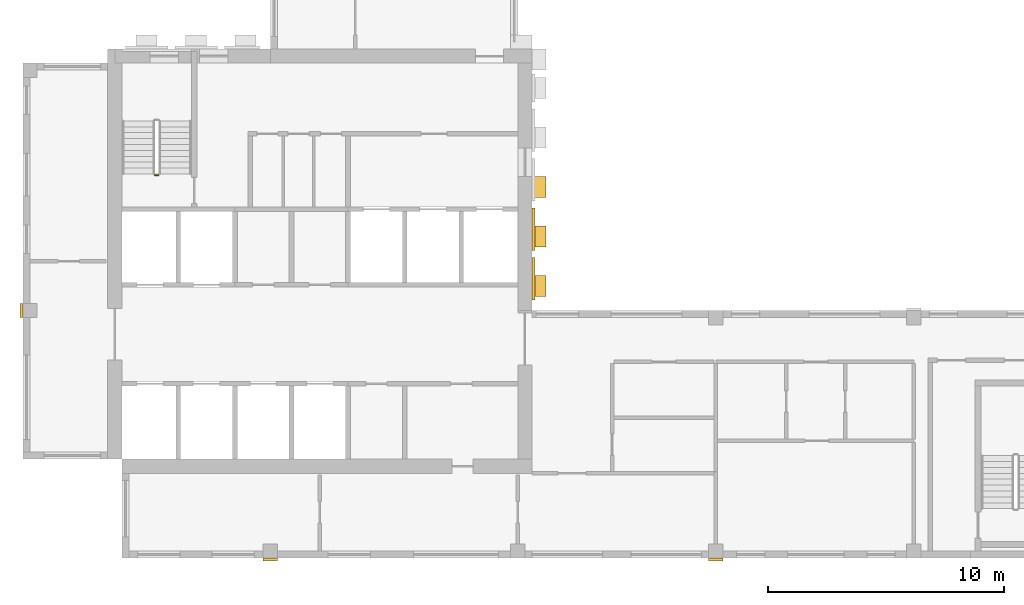
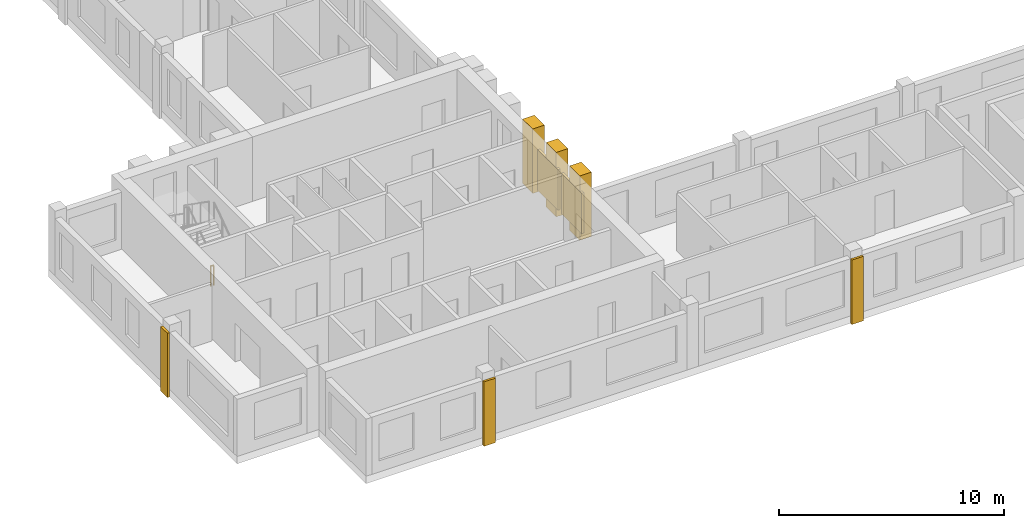
# One storey, part 7 of 10: 8 coverings, 1 railing.
"""IFC4 building model written with IfcOpenShell, lengths in metres."""

from ifc_helpers import new_model, si_unit, direction, frame, origin, origin_2d, place, context, subcontext, project, spatial, rectangle, circle, extrude, source, transform, mapped, material, type_object, element, save


model = new_model("IFC4")

# Units and contexts
model_context = context("Model", 3, precision=1e-05, world=origin(), true_north=direction((0.0, 1.0)))
body_context = subcontext(model_context, "Body", "Model", "MODEL_VIEW")
ifc_project = project(units=[si_unit("LENGTHUNIT", "METRE"), si_unit("AREAUNIT", "SQUARE_METRE"), si_unit("VOLUMEUNIT", "CUBIC_METRE"), si_unit("PLANEANGLEUNIT", "RADIAN"), si_unit("MASSUNIT", "GRAM", prefix="KILO")], contexts=[model_context])

# Site, building, storey
site_placement = place(None, origin())
site = spatial("IfcSite", under=ifc_project, at=site_placement, CompositionType="ELEMENT")
building_placement = place(site_placement, origin())
building = spatial("IfcBuilding", under=site, at=building_placement, Name="Aurelian Terraces", CompositionType="ELEMENT")
storey_placement = place(building_placement, frame((0.0, 0.0, 358.0)))
storey = spatial("IfcBuildingStorey", under=building, at=storey_placement, Name="L85", CompositionType="ELEMENT", Elevation=358.0)

# Coverings
ifc_material_1 = material(Name="Terracotta rainscreen cladding louvre blades", Category="masonry")
covering_type_1 = type_object("IfcCoveringType", Name="LOUVRE-TC", PredefinedType="CLADDING", material=ifc_material_1)
shared_shape_1 = source(origin(), body_context, "Body", "SweptSolid", [
    extrude(rectangle(XDim=0.12, YDim=1.8, at=origin_2d()), origin(), (0.0, 0.0, 1.0), 2.2),
])
for number, where, z_axis, x_axis, name in (
    (1, (21.66, 11.85, 0.45), (0.0, 0.0, 1.0), (1.0, 0.0, 0.0), "LOUVRE L85 core face E.1"),
    (2, (21.66, 13.95, 0.45), (0.0, 0.0, 1.0), (1.0, 0.0, 0.0), "LOUVRE L85 core face E.2"),
):
    element("IfcCovering", number, at=place(storey_placement, frame(where, z_axis=z_axis, x_axis=x_axis)), inside=storey, type_object=covering_type_1, Name=name, PredefinedType="CLADDING", context=body_context, shape_type="MappedRepresentation", body=[
        mapped(shared_shape_1, transform((0.0, 0.0, 0.0), scale=1.0)),
    ])
ifc_material_2 = material(Name="Terracotta rainscreen cladding relief", Category="masonry")
covering_type_2 = type_object("IfcCoveringType", Name="BAGUETTE-TC", PredefinedType="CLADDING", material=ifc_material_2)
shared_shape_2 = source(origin(), body_context, "Body", "SweptSolid", [
    extrude(rectangle(XDim=0.6, YDim=0.12, at=origin_2d()), origin(), (0.0, 0.0, 1.0), 3.5),
])
for number, where, z_axis, x_axis, name in (
    (3, (10.5, -0.06, -0.4), (0.0, 0.0, 1.0), (1.0, 0.0, 0.0), "BAGUETTE pier L85 1"),
    (4, (29.4, -0.06, -0.4), (0.0, 0.0, 1.0), (1.0, 0.0, 0.0), "BAGUETTE pier L85 2"),
):
    element("IfcCovering", number, at=place(storey_placement, frame(where, z_axis=z_axis, x_axis=x_axis)), inside=storey, type_object=covering_type_2, Name=name, PredefinedType="CLADDING", context=body_context, shape_type="MappedRepresentation", body=[
        mapped(shared_shape_2, transform((0.0, 0.0, 0.0), scale=1.0)),
    ])
shared_shape_3 = source(origin(), body_context, "Body", "SweptSolid", [
    extrude(rectangle(XDim=0.12, YDim=0.6, at=origin_2d()), origin(), (0.0, 0.0, 1.0), 3.5),
])
covering_placement = place(storey_placement, frame((-0.06, 10.5, -0.4), z_axis=(0.0, 0.0, 1.0), x_axis=(1.0, 0.0, 0.0)))
element("IfcCovering", 5, at=covering_placement, inside=storey, type_object=covering_type_2, Name="BAGUETTE pier L85 5", PredefinedType="CLADDING", context=body_context, shape_type="MappedRepresentation", body=[
    mapped(shared_shape_3, transform((0.0, 0.0, 0.0), scale=1.0)),
])

# Railing
ifc_material_3 = material(Name="Stainless steel", Category="steel")
railing_type = type_object("IfcRailingType", Name="Stair guard 1100", PredefinedType="GUARDRAIL", material=ifc_material_3)
shared_shape_4 = source(origin(), body_context, "Body", "SweptSolid", [
    extrude(circle(Radius=0.024, at=origin_2d()), frame((0.0, 0.0, 1.076), z_axis=(-1.0, 0.0, 0.0), x_axis=(0.0, -1.0, 0.0)), (0.0, 0.0, 1.0), 0.15),
    extrude(circle(Radius=0.021, at=origin_2d()), origin(), (0.0, 0.0, 1.0), 1.052),
    extrude(circle(Radius=0.021, at=origin_2d()), frame((-0.15, 0.0, 0.0)), (0.0, 0.0, 1.0), 1.052),
])
railing_placement = place(storey_placement, frame((5.75, 16.25, 0.0)))
element("IfcRailing", 6, at=railing_placement, inside=storey, type_object=railing_type, Name="L85 S1 stair guard 4", PredefinedType="GUARDRAIL", context=body_context, shape_type="MappedRepresentation", body=[
    mapped(shared_shape_4, transform((0.0, 0.0, 0.0), scale=1.0)),
])

# Coverings
covering_type_3 = type_object("IfcCoveringType", Name="Core spine pier 900x600", PredefinedType="CLADDING", material=ifc_material_2)
shared_shape_5 = source(origin(), body_context, "Body", "SweptSolid", [
    extrude(rectangle(XDim=0.6, YDim=0.9, at=origin_2d()), origin(), (0.0, 0.0, 1.0), 3.5),
])
for number, where, z_axis, x_axis, name in (
    (7, (21.9, 11.55, 0.0), (0.0, 0.0, 1.0), (1.0, 0.0, 0.0), "Spine pier L85 E1"),
    (8, (21.9, 13.65, 0.0), (0.0, 0.0, 1.0), (1.0, 0.0, 0.0), "Spine pier L85 E2"),
    (9, (21.9, 15.75, 0.0), (0.0, 0.0, 1.0), (1.0, 0.0, 0.0), "Spine pier L85 E3"),
):
    element("IfcCovering", number, at=place(storey_placement, frame(where, z_axis=z_axis, x_axis=x_axis)), inside=storey, type_object=covering_type_3, Name=name, PredefinedType="CLADDING", context=body_context, shape_type="MappedRepresentation", body=[
        mapped(shared_shape_5, transform((0.0, 0.0, 0.0), scale=1.0)),
    ])

save(model, "model.ifc")
